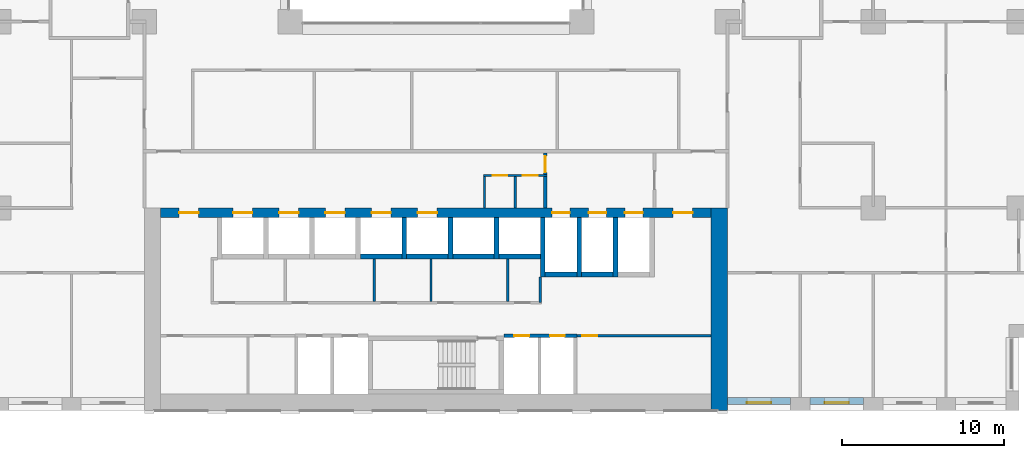
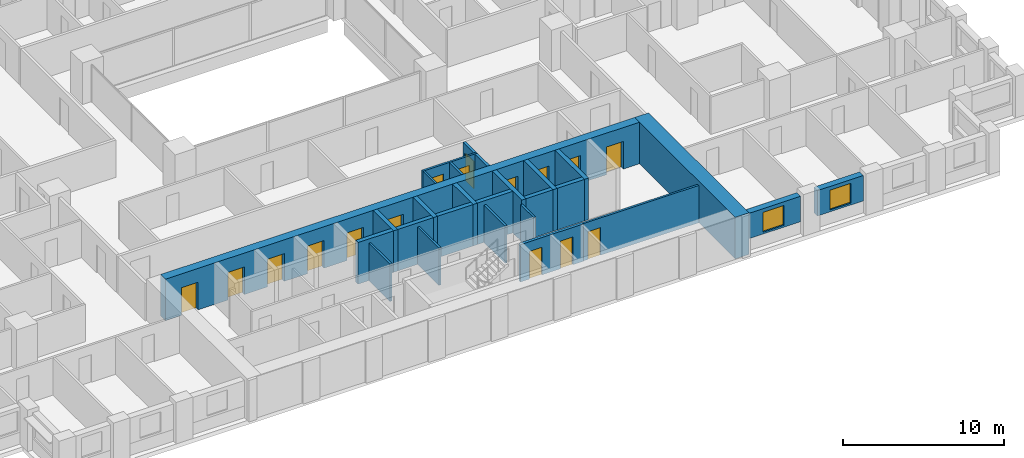
# One storey, part 11 of 19: 27 walls, 16 doors, 2 windows, 18 openings.
"""IFC4 building model written with IfcOpenShell, lengths in metres."""

from ifc_helpers import new_model, si_unit, direction, frame, frame_2d, origin, place, context, subcontext, project, spatial, rectangle, extrude, material, layer, layer_set, type_object, element, fill, save


model = new_model("IFC4")

# Units and contexts
model_context = context("Model", 3, precision=1e-05, world=origin(), true_north=direction((0.0, 1.0)))
body_context = subcontext(model_context, "Body", "Model", "MODEL_VIEW")
ifc_project = project(units=[si_unit("LENGTHUNIT", "METRE"), si_unit("AREAUNIT", "SQUARE_METRE"), si_unit("VOLUMEUNIT", "CUBIC_METRE"), si_unit("PLANEANGLEUNIT", "RADIAN"), si_unit("MASSUNIT", "GRAM", prefix="KILO")], contexts=[model_context])

# Site, building, storey
site_placement = place(None, origin())
site = spatial("IfcSite", under=ifc_project, at=site_placement, CompositionType="ELEMENT")
building_placement = place(site_placement, origin())
building = spatial("IfcBuilding", under=site, at=building_placement, Name="Brigalow Station Residences", CompositionType="ELEMENT")
storey_placement = place(building_placement, frame((0.0, 0.0, 28.949951171875)))
storey = spatial("IfcBuildingStorey", under=building, at=storey_placement, Name="L07", CompositionType="ELEMENT", Elevation=28.949951171875)

# Wall, opening, window
ifc_material_1 = material(Name="Clay brick masonry", Category="masonry")
ifc_layer_1 = layer(ifc_material_1, 0.449951171875)
ifc_layer_set_1 = layer_set([ifc_layer_1], Name="BRICK INFILL WALL 450")
wall_type_1 = type_object("IfcWallType", Name="BRICK INFILL WALL 450", PredefinedType="SOLIDWALL", material=ifc_layer_set_1)
wall_1_placement = place(storey_placement, frame((54.0, 0.574951171875, 0.900146484375), z_axis=(0.0, 0.0, 1.0), x_axis=(1.0, 0.0, 0.0)))
wall_1 = element("IfcWall", 1, at=wall_1_placement, inside=storey, type_object=wall_type_1, Name="L07/ewall/W-L07-5", PredefinedType="SOLIDWALL", context=body_context, shape_type="SweptSolid", body=[
    extrude(rectangle(XDim=3.89990234375, YDim=0.449951171875, at=frame_2d((1.949951171875, 0.0))), origin(), (0.0, 0.0, 1.0), 1.929931640625),
])
opening_1_placement = place(wall_1_placement, frame((1.199951171875, 0.0, 0.14990234375)))
opening_1 = element("IfcOpeningElement", 2, at=opening_1_placement, cuts=wall_1, Name="Opening WT-1", PredefinedType="OPENING", context=body_context, shape_type="SweptSolid", body=[
    extrude(rectangle(XDim=1.5, YDim=1.5, at=frame_2d((0.75, 0.75))), frame((0.0, 0.23486328125, 0.0), z_axis=(0.0, -1.0, 0.0), x_axis=(1.0, 0.0, 0.0)), (0.0, 0.0, 1.0), 0.469970703125),
])
ifc_material_2 = material(Name="Anodised aluminium frame with double glazing", Category="aluminium")
window_type = type_object("IfcWindowType", Name="WINDOW 1500x1500", PartitioningType="SINGLE_PANEL", PredefinedType="WINDOW", material=ifc_material_2)
window_1_placement = place(opening_1_placement, origin())
window_1 = element("IfcWindow", 3, at=window_1_placement, inside=storey, type_object=window_type, Name="L07/window/W-L07-5", OverallHeight=1.5, OverallWidth=1.5, PartitioningType="SINGLE_PANEL", PredefinedType="WINDOW", context=body_context, shape_type="SweptSolid", body=[
    extrude(rectangle(XDim=1.5, YDim=1.5, at=frame_2d((0.75, 0.75))), frame((0.0, -0.06494140625, 0.0), z_axis=(0.0, -1.0, 0.0), x_axis=(1.0, 0.0, 0.0)), (0.0, 0.0, 1.0), 0.06005859375),
])
fill(opening_1, window_1)

wall_2_placement = place(storey_placement, frame((59.10009765625, 0.574951171875, 0.900146484375), z_axis=(0.0, 0.0, 1.0), x_axis=(1.0, 0.0, 0.0)))
wall_2 = element("IfcWall", 4, at=wall_2_placement, inside=storey, type_object=wall_type_1, Name="L07/ewall/W-L07-6", PredefinedType="SOLIDWALL", context=body_context, shape_type="SweptSolid", body=[
    extrude(rectangle(XDim=3.2998046875, YDim=0.449951171875, at=frame_2d((1.64990234375, 0.0))), origin(), (0.0, 0.0, 1.0), 1.929931640625),
])
opening_2_placement = place(wall_2_placement, frame((0.89990234375, 0.0, 0.14990234375)))
opening_2 = element("IfcOpeningElement", 5, at=opening_2_placement, cuts=wall_2, Name="Opening WT-1", PredefinedType="OPENING", context=body_context, shape_type="SweptSolid", body=[
    extrude(rectangle(XDim=1.5, YDim=1.5, at=frame_2d((0.75, 0.75))), frame((0.0, 0.23486328125, 0.0), z_axis=(0.0, -1.0, 0.0), x_axis=(1.0, 0.0, 0.0)), (0.0, 0.0, 1.0), 0.469970703125),
])
window_2_placement = place(opening_2_placement, origin())
window_2 = element("IfcWindow", 6, at=window_2_placement, inside=storey, type_object=window_type, Name="L07/window/W-L07-6", OverallHeight=1.5, OverallWidth=1.5, PartitioningType="SINGLE_PANEL", PredefinedType="WINDOW", context=body_context, shape_type="SweptSolid", body=[
    extrude(rectangle(XDim=1.5, YDim=1.5, at=frame_2d((0.75, 0.75))), frame((0.0, -0.06494140625, 0.0), z_axis=(0.0, -1.0, 0.0), x_axis=(1.0, 0.0, 0.0)), (0.0, 0.0, 1.0), 0.06005859375),
])
fill(opening_2, window_2)

# Walls
ifc_material_3 = material(Name="Concrete C80", Category="concrete")
ifc_layer_2 = layer(ifc_material_3, 1.0)
ifc_layer_set_2 = layer_set([ifc_layer_2], Name="CORE SHEAR WALL 1000 C80")
wall_type_2 = type_object("IfcWallType", Name="CORE SHEAR WALL 1000 C80", PredefinedType="SHEAR", material=ifc_layer_set_2)
wall_3_placement = place(storey_placement, frame((53.5, 0.0, 0.0), z_axis=(0.0, 0.0, 1.0), x_axis=(0.0, 1.0, 0.0)))
element("IfcWall", 7, at=wall_3_placement, inside=storey, type_object=wall_type_2, Name="CORE WALL OUT-E L07", PredefinedType="SHEAR", context=body_context, shape_type="SweptSolid", body=[
    extrude(rectangle(XDim=12.5, YDim=1.0, at=frame_2d((6.25, 0.0))), origin(), (0.0, 0.0, 1.0), 3.150146484375),
])
ifc_material_4 = material(Name="Concrete C80", Category="concrete")
ifc_layer_3 = layer(ifc_material_4, 0.300048828125)
ifc_layer_set_3 = layer_set([ifc_layer_3], Name="CORE SHEAR WALL 300 C80")
wall_type_3 = type_object("IfcWallType", Name="CORE SHEAR WALL 300 C80", PredefinedType="SHEAR", material=ifc_layer_set_3)
wall_4_placement = place(storey_placement, frame((31.35009765625, 9.5, 0.0), z_axis=(0.0, 0.0, 1.0), x_axis=(1.0, 0.0, 0.0)))
element("IfcWall", 8, at=wall_4_placement, inside=storey, type_object=wall_type_3, Name="CORE WALL SH-P4-S L07", PredefinedType="SHEAR", context=body_context, shape_type="SweptSolid", body=[
    extrude(rectangle(XDim=2.5498046875, YDim=0.300048828125, at=frame_2d((1.27490234375, 0.0))), origin(), (0.0, 0.0, 1.0), 3.150146484375),
])
wall_5_placement = place(storey_placement, frame((34.199951171875, 9.5, 0.0), z_axis=(0.0, 0.0, 1.0), x_axis=(1.0, 0.0, 0.0)))
element("IfcWall", 9, at=wall_5_placement, inside=storey, type_object=wall_type_3, Name="CORE WALL SH-P5-S L07", PredefinedType="SHEAR", context=body_context, shape_type="SweptSolid", body=[
    extrude(rectangle(XDim=2.550048828125, YDim=0.300048828125, at=frame_2d((1.27490234375, 0.0))), origin(), (0.0, 0.0, 1.0), 3.150146484375),
])
wall_6_placement = place(storey_placement, frame((34.050048828125, 9.35009765625, 0.0), z_axis=(0.0, 0.0, 1.0), x_axis=(0.0, 1.0, 0.0)))
element("IfcWall", 10, at=wall_6_placement, inside=storey, type_object=wall_type_3, Name="CORE WALL SH-P5-W L07", PredefinedType="SHEAR", context=body_context, shape_type="SweptSolid", body=[
    extrude(rectangle(XDim=2.5498046875, YDim=0.300048828125, at=frame_2d((1.27490234375, 0.0))), origin(), (0.0, 0.0, 1.0), 3.150146484375),
])
wall_7_placement = place(storey_placement, frame((37.050048828125, 9.5, 0.0), z_axis=(0.0, 0.0, 1.0), x_axis=(1.0, 0.0, 0.0)))
element("IfcWall", 11, at=wall_7_placement, inside=storey, type_object=wall_type_3, Name="CORE WALL SH-X1-S L07", PredefinedType="SHEAR", context=body_context, shape_type="SweptSolid", body=[
    extrude(rectangle(XDim=2.550048828125, YDim=0.300048828125, at=frame_2d((1.27490234375, 0.0))), origin(), (0.0, 0.0, 1.0), 3.150146484375),
])
wall_8_placement = place(storey_placement, frame((36.89990234375, 9.35009765625, 0.0), z_axis=(0.0, 0.0, 1.0), x_axis=(0.0, 1.0, 0.0)))
element("IfcWall", 12, at=wall_8_placement, inside=storey, type_object=wall_type_3, Name="CORE WALL SH-X1-W L07", PredefinedType="SHEAR", context=body_context, shape_type="SweptSolid", body=[
    extrude(rectangle(XDim=2.5498046875, YDim=0.300048828125, at=frame_2d((1.27490234375, 0.0))), origin(), (0.0, 0.0, 1.0), 3.150146484375),
])
wall_9_placement = place(storey_placement, frame((39.89990234375, 9.5, 0.0), z_axis=(0.0, 0.0, 1.0), x_axis=(1.0, 0.0, 0.0)))
element("IfcWall", 13, at=wall_9_placement, inside=storey, type_object=wall_type_3, Name="CORE WALL SH-X2-S L07", PredefinedType="SHEAR", context=body_context, shape_type="SweptSolid", body=[
    extrude(rectangle(XDim=2.550048828125, YDim=0.300048828125, at=frame_2d((1.27490234375, 0.0))), origin(), (0.0, 0.0, 1.0), 3.150146484375),
])
wall_10_placement = place(storey_placement, frame((39.75, 9.35009765625, 0.0), z_axis=(0.0, 0.0, 1.0), x_axis=(0.0, 1.0, 0.0)))
element("IfcWall", 14, at=wall_10_placement, inside=storey, type_object=wall_type_3, Name="CORE WALL SH-X2-W L07", PredefinedType="SHEAR", context=body_context, shape_type="SweptSolid", body=[
    extrude(rectangle(XDim=2.5498046875, YDim=0.300048828125, at=frame_2d((1.27490234375, 0.0))), origin(), (0.0, 0.0, 1.0), 3.150146484375),
])
wall_11_placement = place(storey_placement, frame((42.75, 8.39990234375, 0.0), z_axis=(0.0, 0.0, 1.0), x_axis=(1.0, 0.0, 0.0)))
element("IfcWall", 15, at=wall_11_placement, inside=storey, type_object=wall_type_3, Name="CORE WALL SH-FF1-S L07", PredefinedType="SHEAR", context=body_context, shape_type="SweptSolid", body=[
    extrude(rectangle(XDim=1.949951171875, YDim=0.300048828125, at=frame_2d((0.97509765625, 0.0))), origin(), (0.0, 0.0, 1.0), 3.150146484375),
])
wall_12_placement = place(storey_placement, frame((42.60009765625, 8.25, 0.0), z_axis=(0.0, 0.0, 1.0), x_axis=(0.0, 1.0, 0.0)))
element("IfcWall", 16, at=wall_12_placement, inside=storey, type_object=wall_type_3, Name="CORE WALL SH-FF1-W L07", PredefinedType="SHEAR", context=body_context, shape_type="SweptSolid", body=[
    extrude(rectangle(XDim=3.64990234375, YDim=0.300048828125, at=frame_2d((1.824951171875, 0.0))), origin(), (0.0, 0.0, 1.0), 3.150146484375),
])
wall_13_placement = place(storey_placement, frame((45.0, 8.39990234375, 0.0), z_axis=(0.0, 0.0, 1.0), x_axis=(1.0, 0.0, 0.0)))
element("IfcWall", 17, at=wall_13_placement, inside=storey, type_object=wall_type_3, Name="CORE WALL SH-FF2-S L07", PredefinedType="SHEAR", context=body_context, shape_type="SweptSolid", body=[
    extrude(rectangle(XDim=1.949951171875, YDim=0.300048828125, at=frame_2d((0.97509765625, 0.0))), origin(), (0.0, 0.0, 1.0), 3.150146484375),
])
for number, where, z_axis, x_axis, name in (
    (18, (44.85009765625, 8.25, 0.0), (0.0, 0.0, 1.0), (0.0, 1.0, 0.0), "CORE WALL SH-FF2-W L07"),
    (19, (47.10009765625, 8.25, 0.0), (0.0, 0.0, 1.0), (0.0, 1.0, 0.0), "CORE WALL SH-SL1-W L07"),
):
    element("IfcWall", number, at=place(storey_placement, frame(where, z_axis=z_axis, x_axis=x_axis)), inside=storey, type_object=wall_type_3, Name=name, PredefinedType="SHEAR", context=body_context, shape_type="SweptSolid", body=[
        extrude(rectangle(XDim=3.64990234375, YDim=0.300048828125, at=frame_2d((1.824951171875, 0.0))), origin(), (0.0, 0.0, 1.0), 3.150146484375),
    ])

# Wall, openings, doors
ifc_material_5 = material(Name="Concrete C80", Category="concrete")
ifc_layer_4 = layer(ifc_material_5, 0.60009765625)
ifc_layer_set_4 = layer_set([ifc_layer_4], Name="CORE SHEAR WALL 600 C80")
wall_type_4 = type_object("IfcWallType", Name="CORE SHEAR WALL 600 C80", PredefinedType="SHEAR", material=ifc_layer_set_4)
wall_14_placement = place(storey_placement, frame((19.0, 12.199951171875, 0.0), z_axis=(0.0, 0.0, 1.0), x_axis=(1.0, 0.0, 0.0)))
wall_14 = element("IfcWall", 20, at=wall_14_placement, inside=storey, type_object=wall_type_4, Name="CORE WALL OUT-N L07", PredefinedType="SHEAR", context=body_context, shape_type="SweptSolid", body=[
    extrude(rectangle(XDim=34.0, YDim=0.60009765625, at=frame_2d((17.0, 0.0))), origin(), (0.0, 0.0, 1.0), 3.150146484375),
])
opening_3_placement = place(wall_14_placement, frame((4.47509765625, 0.0, 0.0)))
opening_3 = element("IfcOpeningElement", 21, at=opening_3_placement, cuts=wall_14, Name="Opening LD-LA1", PredefinedType="OPENING", context=body_context, shape_type="SweptSolid", body=[
    extrude(rectangle(XDim=1.199951171875, YDim=2.10009765625, at=frame_2d((0.60009765625, 1.050048828125))), frame((0.0, 0.31005859375, 0.0), z_axis=(0.0, -1.0, 0.0), x_axis=(1.0, 0.0, 0.0)), (0.0, 0.0, 1.0), 0.6201171875),
])
opening_4_placement = place(wall_14_placement, frame((7.324951171875, 0.0, 0.0)))
opening_4 = element("IfcOpeningElement", 22, at=opening_4_placement, cuts=wall_14, Name="Opening LD-LA2", PredefinedType="OPENING", context=body_context, shape_type="SweptSolid", body=[
    extrude(rectangle(XDim=1.199951171875, YDim=2.10009765625, at=frame_2d((0.60009765625, 1.050048828125))), frame((0.0, 0.31005859375, 0.0), z_axis=(0.0, -1.0, 0.0), x_axis=(1.0, 0.0, 0.0)), (0.0, 0.0, 1.0), 0.6201171875),
])
opening_5_placement = place(wall_14_placement, frame((10.175048828125, 0.0, 0.0)))
opening_5 = element("IfcOpeningElement", 23, at=opening_5_placement, cuts=wall_14, Name="Opening LD-LA3", PredefinedType="OPENING", context=body_context, shape_type="SweptSolid", body=[
    extrude(rectangle(XDim=1.199951171875, YDim=2.10009765625, at=frame_2d((0.60009765625, 1.050048828125))), frame((0.0, 0.31005859375, 0.0), z_axis=(0.0, -1.0, 0.0), x_axis=(1.0, 0.0, 0.0)), (0.0, 0.0, 1.0), 0.6201171875),
])
opening_6_placement = place(wall_14_placement, frame((13.02490234375, 0.0, 0.0)))
opening_6 = element("IfcOpeningElement", 24, at=opening_6_placement, cuts=wall_14, Name="Opening LD-LA4", PredefinedType="OPENING", context=body_context, shape_type="SweptSolid", body=[
    extrude(rectangle(XDim=1.199951171875, YDim=2.10009765625, at=frame_2d((0.60009765625, 1.050048828125))), frame((0.0, 0.31005859375, 0.0), z_axis=(0.0, -1.0, 0.0), x_axis=(1.0, 0.0, 0.0)), (0.0, 0.0, 1.0), 0.6201171875),
])
opening_7_placement = place(wall_14_placement, frame((15.875, 0.0, 0.0)))
opening_7 = element("IfcOpeningElement", 25, at=opening_7_placement, cuts=wall_14, Name="Opening LD-LA5", PredefinedType="OPENING", context=body_context, shape_type="SweptSolid", body=[
    extrude(rectangle(XDim=1.199951171875, YDim=2.10009765625, at=frame_2d((0.60009765625, 1.050048828125))), frame((0.0, 0.31005859375, 0.0), z_axis=(0.0, -1.0, 0.0), x_axis=(1.0, 0.0, 0.0)), (0.0, 0.0, 1.0), 0.6201171875),
])
opening_8_placement = place(wall_14_placement, frame((24.175048828125, 0.0, 0.0)))
opening_8 = element("IfcOpeningElement", 26, at=opening_8_placement, cuts=wall_14, Name="Opening LD-LF1", PredefinedType="OPENING", context=body_context, shape_type="SweptSolid", body=[
    extrude(rectangle(XDim=1.10009765625, YDim=2.10009765625, at=frame_2d((0.550048828125, 1.050048828125))), frame((0.0, 0.31005859375, 0.0), z_axis=(0.0, -1.0, 0.0), x_axis=(1.0, 0.0, 0.0)), (0.0, 0.0, 1.0), 0.6201171875),
])
opening_9_placement = place(wall_14_placement, frame((26.425048828125, 0.0, 0.0)))
opening_9 = element("IfcOpeningElement", 27, at=opening_9_placement, cuts=wall_14, Name="Opening LD-LF2", PredefinedType="OPENING", context=body_context, shape_type="SweptSolid", body=[
    extrude(rectangle(XDim=1.10009765625, YDim=2.10009765625, at=frame_2d((0.550048828125, 1.050048828125))), frame((0.0, 0.31005859375, 0.0), z_axis=(0.0, -1.0, 0.0), x_axis=(1.0, 0.0, 0.0)), (0.0, 0.0, 1.0), 0.6201171875),
])
opening_10_placement = place(wall_14_placement, frame((28.675048828125, 0.0, 0.0)))
opening_10 = element("IfcOpeningElement", 28, at=opening_10_placement, cuts=wall_14, Name="Opening LD-LG1", PredefinedType="OPENING", context=body_context, shape_type="SweptSolid", body=[
    extrude(rectangle(XDim=1.10009765625, YDim=2.10009765625, at=frame_2d((0.550048828125, 1.050048828125))), frame((0.0, 0.31005859375, 0.0), z_axis=(0.0, -1.0, 0.0), x_axis=(1.0, 0.0, 0.0)), (0.0, 0.0, 1.0), 0.6201171875),
])
opening_11_placement = place(wall_14_placement, frame((1.14990234375, 0.0, 0.0)))
opening_11 = element("IfcOpeningElement", 29, at=opening_11_placement, cuts=wall_14, Name="Opening D-5011", PredefinedType="OPENING", context=body_context, shape_type="SweptSolid", body=[
    extrude(rectangle(XDim=1.199951171875, YDim=2.10009765625, at=frame_2d((0.60009765625, 1.050048828125))), frame((0.0, 0.31005859375, 0.0), z_axis=(0.0, -1.0, 0.0), x_axis=(1.0, 0.0, 0.0)), (0.0, 0.0, 1.0), 0.6201171875),
])
opening_12_placement = place(wall_14_placement, frame((31.64990234375, 0.0, 0.0)))
opening_12 = element("IfcOpeningElement", 30, at=opening_12_placement, cuts=wall_14, Name="Opening D-5012", PredefinedType="OPENING", context=body_context, shape_type="SweptSolid", body=[
    extrude(rectangle(XDim=1.199951171875, YDim=2.10009765625, at=frame_2d((0.60009765625, 1.050048828125))), frame((0.0, 0.31005859375, 0.0), z_axis=(0.0, -1.0, 0.0), x_axis=(1.0, 0.0, 0.0)), (0.0, 0.0, 1.0), 0.6201171875),
])
ifc_material_6 = material(Name="Steel fire door leaf in steel frame", Category="steel")
door_type_1 = type_object("IfcDoorType", Name="CORE CORRIDOR DOOR 1200 x 2100 FD60S", OperationType="SINGLE_SWING_LEFT", PredefinedType="DOOR", material=ifc_material_6)
door_1_placement = place(opening_11_placement, frame((1.199951171875, 0.0, 0.0), z_axis=(0.0, 0.0, 1.0), x_axis=(-1.0, 0.0, 0.0)))
door_1 = element("IfcDoor", 31, at=door_1_placement, inside=storey, type_object=door_type_1, Name="D-5011", OperationType="SINGLE_SWING_LEFT", OverallHeight=2.10009765625, OverallWidth=1.199951171875, PredefinedType="DOOR", context=body_context, shape_type="SweptSolid", body=[
    extrude(rectangle(XDim=1.199951171875, YDim=2.10009765625, at=frame_2d((0.60009765625, 1.050048828125))), frame((0.0, 0.02490234375, 0.0), z_axis=(0.0, -1.0, 0.0), x_axis=(1.0, 0.0, 0.0)), (0.0, 0.0, 1.0), 0.050048828125),
])
fill(opening_11, door_1)
door_2_placement = place(opening_12_placement, frame((1.199951171875, 0.0, 0.0), z_axis=(0.0, 0.0, 1.0), x_axis=(-1.0, 0.0, 0.0)))
door_2 = element("IfcDoor", 32, at=door_2_placement, inside=storey, type_object=door_type_1, Name="D-5012", OperationType="SINGLE_SWING_RIGHT", OverallHeight=2.10009765625, OverallWidth=1.199951171875, PredefinedType="DOOR", context=body_context, shape_type="SweptSolid", body=[
    extrude(rectangle(XDim=1.199951171875, YDim=2.10009765625, at=frame_2d((0.60009765625, 1.050048828125))), frame((0.0, 0.02490234375, 0.0), z_axis=(0.0, -1.0, 0.0), x_axis=(1.0, 0.0, 0.0)), (0.0, 0.0, 1.0), 0.050048828125),
])
fill(opening_12, door_2)
ifc_material_7 = material(Name="Stainless steel sliding door leaves", Category="steel")
door_type_2 = type_object("IfcDoorType", Name="LIFT LANDING DOOR 1100 x 2100", OperationType="DOUBLE_DOOR_SLIDING", PredefinedType="DOOR", material=ifc_material_7)
door_3_placement = place(opening_8_placement, origin())
door_3 = element("IfcDoor", 33, at=door_3_placement, inside=storey, type_object=door_type_2, Name="LANDING DOOR LF1", OperationType="DOUBLE_DOOR_SLIDING", OverallHeight=2.10009765625, OverallWidth=1.10009765625, PredefinedType="DOOR", context=body_context, shape_type="SweptSolid", body=[
    extrude(rectangle(XDim=1.10009765625, YDim=2.10009765625, at=frame_2d((0.550048828125, 1.050048828125))), frame((0.0, 0.02490234375, 0.0), z_axis=(0.0, -1.0, 0.0), x_axis=(1.0, 0.0, 0.0)), (0.0, 0.0, 1.0), 0.050048828125),
])
fill(opening_8, door_3)
door_4_placement = place(opening_9_placement, origin())
door_4 = element("IfcDoor", 34, at=door_4_placement, inside=storey, type_object=door_type_2, Name="LANDING DOOR LF2", OperationType="DOUBLE_DOOR_SLIDING", OverallHeight=2.10009765625, OverallWidth=1.10009765625, PredefinedType="DOOR", context=body_context, shape_type="SweptSolid", body=[
    extrude(rectangle(XDim=1.10009765625, YDim=2.10009765625, at=frame_2d((0.550048828125, 1.050048828125))), frame((0.0, 0.02490234375, 0.0), z_axis=(0.0, -1.0, 0.0), x_axis=(1.0, 0.0, 0.0)), (0.0, 0.0, 1.0), 0.050048828125),
])
fill(opening_9, door_4)
door_5_placement = place(opening_10_placement, origin())
door_5 = element("IfcDoor", 35, at=door_5_placement, inside=storey, type_object=door_type_2, Name="LANDING DOOR LG1", OperationType="DOUBLE_DOOR_SLIDING", OverallHeight=2.10009765625, OverallWidth=1.10009765625, PredefinedType="DOOR", context=body_context, shape_type="SweptSolid", body=[
    extrude(rectangle(XDim=1.10009765625, YDim=2.10009765625, at=frame_2d((0.550048828125, 1.050048828125))), frame((0.0, 0.02490234375, 0.0), z_axis=(0.0, -1.0, 0.0), x_axis=(1.0, 0.0, 0.0)), (0.0, 0.0, 1.0), 0.050048828125),
])
fill(opening_10, door_5)
ifc_material_8 = material(Name="Stainless steel sliding door leaves", Category="steel")
door_type_3 = type_object("IfcDoorType", Name="LIFT LANDING DOOR 1200 x 2100", OperationType="DOUBLE_DOOR_SLIDING", PredefinedType="DOOR", material=ifc_material_8)
door_6_placement = place(opening_3_placement, origin())
door_6 = element("IfcDoor", 36, at=door_6_placement, inside=storey, type_object=door_type_3, Name="LANDING DOOR LA1", OperationType="DOUBLE_DOOR_SLIDING", OverallHeight=2.10009765625, OverallWidth=1.199951171875, PredefinedType="DOOR", context=body_context, shape_type="SweptSolid", body=[
    extrude(rectangle(XDim=1.199951171875, YDim=2.10009765625, at=frame_2d((0.60009765625, 1.050048828125))), frame((0.0, 0.02490234375, 0.0), z_axis=(0.0, -1.0, 0.0), x_axis=(1.0, 0.0, 0.0)), (0.0, 0.0, 1.0), 0.050048828125),
])
fill(opening_3, door_6)
door_7_placement = place(opening_4_placement, origin())
door_7 = element("IfcDoor", 37, at=door_7_placement, inside=storey, type_object=door_type_3, Name="LANDING DOOR LA2", OperationType="DOUBLE_DOOR_SLIDING", OverallHeight=2.10009765625, OverallWidth=1.199951171875, PredefinedType="DOOR", context=body_context, shape_type="SweptSolid", body=[
    extrude(rectangle(XDim=1.199951171875, YDim=2.10009765625, at=frame_2d((0.60009765625, 1.050048828125))), frame((0.0, 0.02490234375, 0.0), z_axis=(0.0, -1.0, 0.0), x_axis=(1.0, 0.0, 0.0)), (0.0, 0.0, 1.0), 0.050048828125),
])
fill(opening_4, door_7)
door_8_placement = place(opening_5_placement, origin())
door_8 = element("IfcDoor", 38, at=door_8_placement, inside=storey, type_object=door_type_3, Name="LANDING DOOR LA3", OperationType="DOUBLE_DOOR_SLIDING", OverallHeight=2.10009765625, OverallWidth=1.199951171875, PredefinedType="DOOR", context=body_context, shape_type="SweptSolid", body=[
    extrude(rectangle(XDim=1.199951171875, YDim=2.10009765625, at=frame_2d((0.60009765625, 1.050048828125))), frame((0.0, 0.02490234375, 0.0), z_axis=(0.0, -1.0, 0.0), x_axis=(1.0, 0.0, 0.0)), (0.0, 0.0, 1.0), 0.050048828125),
])
fill(opening_5, door_8)
door_9_placement = place(opening_6_placement, origin())
door_9 = element("IfcDoor", 39, at=door_9_placement, inside=storey, type_object=door_type_3, Name="LANDING DOOR LA4", OperationType="DOUBLE_DOOR_SLIDING", OverallHeight=2.10009765625, OverallWidth=1.199951171875, PredefinedType="DOOR", context=body_context, shape_type="SweptSolid", body=[
    extrude(rectangle(XDim=1.199951171875, YDim=2.10009765625, at=frame_2d((0.60009765625, 1.050048828125))), frame((0.0, 0.02490234375, 0.0), z_axis=(0.0, -1.0, 0.0), x_axis=(1.0, 0.0, 0.0)), (0.0, 0.0, 1.0), 0.050048828125),
])
fill(opening_6, door_9)
door_10_placement = place(opening_7_placement, origin())
door_10 = element("IfcDoor", 40, at=door_10_placement, inside=storey, type_object=door_type_3, Name="LANDING DOOR LA5", OperationType="DOUBLE_DOOR_SLIDING", OverallHeight=2.10009765625, OverallWidth=1.199951171875, PredefinedType="DOOR", context=body_context, shape_type="SweptSolid", body=[
    extrude(rectangle(XDim=1.199951171875, YDim=2.10009765625, at=frame_2d((0.60009765625, 1.050048828125))), frame((0.0, 0.02490234375, 0.0), z_axis=(0.0, -1.0, 0.0), x_axis=(1.0, 0.0, 0.0)), (0.0, 0.0, 1.0), 0.050048828125),
])
fill(opening_7, door_10)

ifc_material_9 = material(Name="Concrete blockwork", Category="masonry")
ifc_layer_5 = layer(ifc_material_9, 0.199951171875)
ifc_layer_set_5 = layer_set([ifc_layer_5], Name="FIRE RATED CORE PARTITION 200")
wall_type_5 = type_object("IfcWallType", Name="FIRE RATED CORE PARTITION 200", PredefinedType="PARTITIONING", material=ifc_layer_set_5)
wall_15_placement = place(storey_placement, frame((40.199951171875, 4.60009765625, 0.0), z_axis=(0.0, 0.0, 1.0), x_axis=(1.0, 0.0, 0.0)))
wall_15 = element("IfcWall", 41, at=wall_15_placement, inside=storey, type_object=wall_type_5, Name="PW-5018", PredefinedType="PARTITIONING", context=body_context, shape_type="SweptSolid", body=[
    extrude(rectangle(XDim=4.5, YDim=0.199951171875, at=frame_2d((2.25, 0.0))), origin(), (0.0, 0.0, 1.0), 2.830078125),
])
opening_13_placement = place(wall_15_placement, frame((0.64990234375, 0.0, 0.0)))
opening_13 = element("IfcOpeningElement", 42, at=opening_13_placement, cuts=wall_15, Name="Opening D-5009", PredefinedType="OPENING", context=body_context, shape_type="SweptSolid", body=[
    extrude(rectangle(XDim=0.89990234375, YDim=2.10009765625, at=frame_2d((0.449951171875, 1.050048828125))), frame((0.0, 0.10986328125, 0.0), z_axis=(0.0, -1.0, 0.0), x_axis=(1.0, 0.0, 0.0)), (0.0, 0.0, 1.0), 0.219970703125),
])
opening_14_placement = place(wall_15_placement, frame((2.85009765625, 0.0, 0.0)))
opening_14 = element("IfcOpeningElement", 43, at=opening_14_placement, cuts=wall_15, Name="Opening D-5010", PredefinedType="OPENING", context=body_context, shape_type="SweptSolid", body=[
    extrude(rectangle(XDim=0.89990234375, YDim=2.10009765625, at=frame_2d((0.449951171875, 1.050048828125))), frame((0.0, 0.10986328125, 0.0), z_axis=(0.0, -1.0, 0.0), x_axis=(1.0, 0.0, 0.0)), (0.0, 0.0, 1.0), 0.219970703125),
])
ifc_material_10 = material(Name="Steel fire door leaf in steel frame", Category="steel")
door_type_4 = type_object("IfcDoorType", Name="RISER ACCESS DOOR 900 x 2100 FD120", OperationType="SINGLE_SWING_LEFT", PredefinedType="DOOR", material=ifc_material_10)
door_11_placement = place(opening_13_placement, frame((0.89990234375, 0.0, 0.0), z_axis=(0.0, 0.0, 1.0), x_axis=(-1.0, 0.0, 0.0)))
door_11 = element("IfcDoor", 44, at=door_11_placement, inside=storey, type_object=door_type_4, Name="D-5009", OperationType="SINGLE_SWING_LEFT", OverallHeight=2.10009765625, OverallWidth=0.89990234375, PredefinedType="DOOR", context=body_context, shape_type="SweptSolid", body=[
    extrude(rectangle(XDim=0.89990234375, YDim=2.10009765625, at=frame_2d((0.449951171875, 1.050048828125))), frame((0.0, 0.02490234375, 0.0), z_axis=(0.0, -1.0, 0.0), x_axis=(1.0, 0.0, 0.0)), (0.0, 0.0, 1.0), 0.050048828125),
])
fill(opening_13, door_11)
door_12_placement = place(opening_14_placement, frame((0.89990234375, 0.0, 0.0), z_axis=(0.0, 0.0, 1.0), x_axis=(-1.0, 0.0, 0.0)))
door_12 = element("IfcDoor", 45, at=door_12_placement, inside=storey, type_object=door_type_4, Name="D-5010", OperationType="SINGLE_SWING_LEFT", OverallHeight=2.10009765625, OverallWidth=0.89990234375, PredefinedType="DOOR", context=body_context, shape_type="SweptSolid", body=[
    extrude(rectangle(XDim=0.89990234375, YDim=2.10009765625, at=frame_2d((0.449951171875, 1.050048828125))), frame((0.0, 0.02490234375, 0.0), z_axis=(0.0, -1.0, 0.0), x_axis=(1.0, 0.0, 0.0)), (0.0, 0.0, 1.0), 0.050048828125),
])
fill(opening_14, door_12)

# Wall
wall_16_placement = place(storey_placement, frame((42.75, 12.5, 0.0), z_axis=(0.0, 0.0, 1.0), x_axis=(0.0, 1.0, 0.0)))
element("IfcWall", 46, at=wall_16_placement, inside=storey, type_object=wall_type_5, Name="PW-5046", PredefinedType="PARTITIONING", context=body_context, shape_type="SweptSolid", body=[
    extrude(rectangle(XDim=1.925048828125, YDim=0.199951171875, at=frame_2d((0.96240234375, 0.0))), origin(), (0.0, 0.0, 1.0), 2.830078125),
])

# Wall, opening, door
wall_17_placement = place(storey_placement, frame((42.75, 14.574951171875, 0.0), z_axis=(0.0, 0.0, 1.0), x_axis=(0.0, 1.0, 0.0)))
wall_17 = element("IfcWall", 47, at=wall_17_placement, inside=storey, type_object=wall_type_5, Name="PW-5047", PredefinedType="PARTITIONING", context=body_context, shape_type="SweptSolid", body=[
    extrude(rectangle(XDim=1.324951171875, YDim=0.199951171875, at=frame_2d((0.66259765625, 0.0))), origin(), (0.0, 0.0, 1.0), 2.830078125),
])
opening_15_placement = place(wall_17_placement, frame((0.125, 0.0, 0.0)))
opening_15 = element("IfcOpeningElement", 48, at=opening_15_placement, cuts=wall_17, Name="Opening D-5013", PredefinedType="OPENING", context=body_context, shape_type="SweptSolid", body=[
    extrude(rectangle(XDim=1.0, YDim=2.10009765625, at=frame_2d((0.5, 1.050048828125))), frame((0.0, 0.10986328125, 0.0), z_axis=(0.0, -1.0, 0.0), x_axis=(1.0, 0.0, 0.0)), (0.0, 0.0, 1.0), 0.219970703125),
])
ifc_material_11 = material(Name="Steel fire door leaf in steel frame", Category="steel")
door_type_5 = type_object("IfcDoorType", Name="LOBBY DOOR 1000 x 2100 FD60S", OperationType="SINGLE_SWING_LEFT", PredefinedType="DOOR", material=ifc_material_11)
door_13_placement = place(opening_15_placement, origin())
door_13 = element("IfcDoor", 49, at=door_13_placement, inside=storey, type_object=door_type_5, Name="D-5013", OperationType="SINGLE_SWING_LEFT", OverallHeight=2.10009765625, OverallWidth=1.0, PredefinedType="DOOR", context=body_context, shape_type="SweptSolid", body=[
    extrude(rectangle(XDim=1.0, YDim=2.10009765625, at=frame_2d((0.5, 1.050048828125))), frame((0.0, 0.02490234375, 0.0), z_axis=(0.0, -1.0, 0.0), x_axis=(1.0, 0.0, 0.0)), (0.0, 0.0, 1.0), 0.050048828125),
])
fill(opening_15, door_13)

ifc_material_12 = material(Name="Plasterboard on steel studs", Category="steel")
ifc_layer_6 = layer(ifc_material_12, 0.14990234375)
ifc_layer_set_6 = layer_set([ifc_layer_6], Name="SERVICE ROOM PARTITION 150")
wall_type_6 = type_object("IfcWallType", Name="SERVICE ROOM PARTITION 150", PredefinedType="PARTITIONING", material=ifc_layer_set_6)
wall_18_placement = place(storey_placement, frame((44.699951171875, 4.60009765625, 0.0), z_axis=(0.0, 0.0, 1.0), x_axis=(1.0, 0.0, 0.0)))
wall_18 = element("IfcWall", 50, at=wall_18_placement, inside=storey, type_object=wall_type_6, Name="PW-5020", PredefinedType="PARTITIONING", context=body_context, shape_type="SweptSolid", body=[
    extrude(rectangle(XDim=8.300048828125, YDim=0.14990234375, at=frame_2d((4.14990234375, 0.0))), origin(), (0.0, 0.0, 1.0), 2.830078125),
])
opening_16_placement = place(wall_18_placement, frame((0.35009765625, 0.0, 0.0)))
opening_16 = element("IfcOpeningElement", 51, at=opening_16_placement, cuts=wall_18, Name="Opening D-5026", PredefinedType="OPENING", context=body_context, shape_type="SweptSolid", body=[
    extrude(rectangle(XDim=0.89990234375, YDim=2.10009765625, at=frame_2d((0.449951171875, 1.050048828125))), frame((0.0, 0.0849609375, 0.0), z_axis=(0.0, -1.0, 0.0), x_axis=(1.0, 0.0, 0.0)), (0.0, 0.0, 1.0), 0.169921875),
])
ifc_material_13 = material(Name="Steel door leaf in steel frame", Category="steel")
door_type_6 = type_object("IfcDoorType", Name="SERVICE ROOM DOOR 900 x 2100 FD60", OperationType="SINGLE_SWING_LEFT", PredefinedType="DOOR", material=ifc_material_13)
door_14_placement = place(opening_16_placement, frame((0.89990234375, 0.0, 0.0), z_axis=(0.0, 0.0, 1.0), x_axis=(-1.0, 0.0, 0.0)))
door_14 = element("IfcDoor", 52, at=door_14_placement, inside=storey, type_object=door_type_6, Name="D-5026", OperationType="SINGLE_SWING_RIGHT", OverallHeight=2.10009765625, OverallWidth=0.89990234375, PredefinedType="DOOR", context=body_context, shape_type="SweptSolid", body=[
    extrude(rectangle(XDim=0.89990234375, YDim=2.10009765625, at=frame_2d((0.449951171875, 1.050048828125))), frame((0.0, 0.02490234375, 0.0), z_axis=(0.0, -1.0, 0.0), x_axis=(1.0, 0.0, 0.0)), (0.0, 0.0, 1.0), 0.050048828125),
])
fill(opening_16, door_14)

# Wall, openings, doors
wall_19_placement = place(storey_placement, frame((38.925048828125, 14.5, 0.0), z_axis=(0.0, 0.0, 1.0), x_axis=(1.0, 0.0, 0.0)))
wall_19 = element("IfcWall", 53, at=wall_19_placement, inside=storey, type_object=wall_type_6, Name="PW-5129", PredefinedType="PARTITIONING", context=body_context, shape_type="SweptSolid", body=[
    extrude(rectangle(XDim=3.925048828125, YDim=0.14990234375, at=frame_2d((1.96240234375, 0.0))), origin(), (0.0, 0.0, 1.0), 2.830078125),
])
opening_17_placement = place(wall_19_placement, frame((0.574951171875, 0.0, 0.0)))
opening_17 = element("IfcOpeningElement", 54, at=opening_17_placement, cuts=wall_19, Name="Opening D-5077", PredefinedType="OPENING", context=body_context, shape_type="SweptSolid", body=[
    extrude(rectangle(XDim=0.89990234375, YDim=2.10009765625, at=frame_2d((0.449951171875, 1.050048828125))), frame((0.0, 0.0849609375, 0.0), z_axis=(0.0, -1.0, 0.0), x_axis=(1.0, 0.0, 0.0)), (0.0, 0.0, 1.0), 0.169921875),
])
opening_18_placement = place(wall_19_placement, frame((2.449951171875, 0.0, 0.0)))
opening_18 = element("IfcOpeningElement", 55, at=opening_18_placement, cuts=wall_19, Name="Opening D-5078", PredefinedType="OPENING", context=body_context, shape_type="SweptSolid", body=[
    extrude(rectangle(XDim=0.89990234375, YDim=2.10009765625, at=frame_2d((0.449951171875, 1.050048828125))), frame((0.0, 0.0849609375, 0.0), z_axis=(0.0, -1.0, 0.0), x_axis=(1.0, 0.0, 0.0)), (0.0, 0.0, 1.0), 0.169921875),
])
door_15_placement = place(opening_17_placement, frame((0.89990234375, 0.0, 0.0), z_axis=(0.0, 0.0, 1.0), x_axis=(-1.0, 0.0, 0.0)))
door_15 = element("IfcDoor", 56, at=door_15_placement, inside=storey, type_object=door_type_6, Name="D-5077", OperationType="SINGLE_SWING_RIGHT", OverallHeight=2.10009765625, OverallWidth=0.89990234375, PredefinedType="DOOR", context=body_context, shape_type="SweptSolid", body=[
    extrude(rectangle(XDim=0.89990234375, YDim=2.10009765625, at=frame_2d((0.449951171875, 1.050048828125))), frame((0.0, 0.02490234375, 0.0), z_axis=(0.0, -1.0, 0.0), x_axis=(1.0, 0.0, 0.0)), (0.0, 0.0, 1.0), 0.050048828125),
])
fill(opening_17, door_15)
door_16_placement = place(opening_18_placement, frame((0.89990234375, 0.0, 0.0), z_axis=(0.0, 0.0, 1.0), x_axis=(-1.0, 0.0, 0.0)))
door_16 = element("IfcDoor", 57, at=door_16_placement, inside=storey, type_object=door_type_6, Name="D-5078", OperationType="SINGLE_SWING_LEFT", OverallHeight=2.10009765625, OverallWidth=0.89990234375, PredefinedType="DOOR", context=body_context, shape_type="SweptSolid", body=[
    extrude(rectangle(XDim=0.89990234375, YDim=2.10009765625, at=frame_2d((0.449951171875, 1.050048828125))), frame((0.0, 0.02490234375, 0.0), z_axis=(0.0, -1.0, 0.0), x_axis=(1.0, 0.0, 0.0)), (0.0, 0.0, 1.0), 0.050048828125),
])
fill(opening_18, door_16)

# Walls
wall_20_placement = place(storey_placement, frame((42.449951171875, 6.64990234375, 0.0), z_axis=(0.0, 0.0, 1.0), x_axis=(0.0, 1.0, 0.0)))
element("IfcWall", 58, at=wall_20_placement, inside=storey, type_object=wall_type_6, Name="PW-5029", PredefinedType="PARTITIONING", context=body_context, shape_type="SweptSolid", body=[
    extrude(rectangle(XDim=1.60009765625, YDim=0.14990234375, at=frame_2d((0.800048828125, 0.0))), origin(), (0.0, 0.0, 1.0), 2.830078125),
])
for number, where, z_axis, x_axis, name in (
    (59, (32.199951171875, 6.72509765625, 0.0), (0.0, 0.0, 1.0), (0.0, 1.0, 0.0), "PW-5042"),
    (60, (35.699951171875, 6.72509765625, 0.0), (0.0, 0.0, 1.0), (0.0, 1.0, 0.0), "PW-5043"),
    (61, (40.449951171875, 6.72509765625, 0.0), (0.0, 0.0, 1.0), (0.0, 1.0, 0.0), "PW-5044"),
):
    element("IfcWall", number, at=place(storey_placement, frame(where, z_axis=z_axis, x_axis=x_axis)), inside=storey, type_object=wall_type_6, Name=name, PredefinedType="PARTITIONING", context=body_context, shape_type="SweptSolid", body=[
        extrude(rectangle(XDim=2.625, YDim=0.14990234375, at=frame_2d((1.3125, 0.0))), origin(), (0.0, 0.0, 1.0), 2.830078125),
    ])
for number, where, z_axis, x_axis, name in (
    (62, (39.0, 12.5, 0.0), (0.0, 0.0, 1.0), (0.0, 1.0, 0.0), "PW-5136"),
    (63, (40.89990234375, 12.5, 0.0), (0.0, 0.0, 1.0), (0.0, 1.0, 0.0), "PW-5137"),
):
    element("IfcWall", number, at=place(storey_placement, frame(where, z_axis=z_axis, x_axis=x_axis)), inside=storey, type_object=wall_type_6, Name=name, PredefinedType="PARTITIONING", context=body_context, shape_type="SweptSolid", body=[
        extrude(rectangle(XDim=1.925048828125, YDim=0.14990234375, at=frame_2d((0.96240234375, 0.0))), origin(), (0.0, 0.0, 1.0), 2.830078125),
    ])

save(model, "model.ifc")
